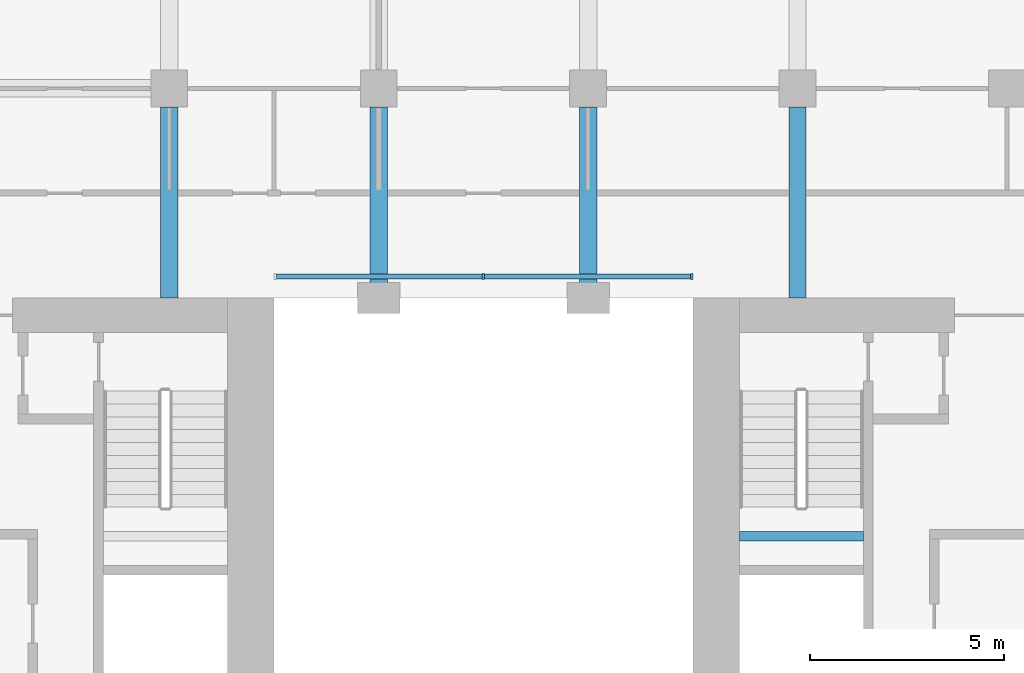
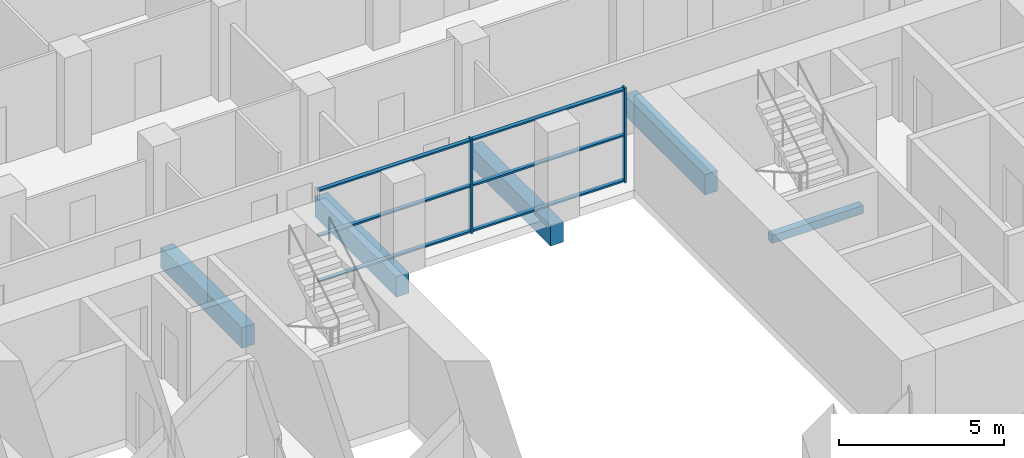
# One storey, part 4 of 12: 8 members, 5 beams, 1 element without a shape of its own.
"""IFC4 building model written with IfcOpenShell, lengths in metres."""

from ifc_helpers import new_model, si_unit, direction, frame, origin, origin_2d, place, context, subcontext, project, spatial, rectangle, extrude, material, material_profile, profile_set, type_object, element, aggregate, save


model = new_model("IFC4")

# Units and contexts
model_context = context("Model", 3, precision=1e-05, world=origin(), true_north=direction((0.0, 1.0)))
body_context = subcontext(model_context, "Body", "Model", "MODEL_VIEW")
ifc_project = project(units=[si_unit("LENGTHUNIT", "METRE"), si_unit("AREAUNIT", "SQUARE_METRE"), si_unit("VOLUMEUNIT", "CUBIC_METRE"), si_unit("PLANEANGLEUNIT", "RADIAN"), si_unit("MASSUNIT", "GRAM", prefix="KILO")], contexts=[model_context])

# Site, building, storey
site_placement = place(None, origin())
site = spatial("IfcSite", under=ifc_project, at=site_placement, CompositionType="ELEMENT")
building_placement = place(site_placement, origin())
building = spatial("IfcBuilding", under=site, at=building_placement, Name="Tabaq Tower and Sports Hall", CompositionType="ELEMENT")
storey_placement = place(building_placement, frame((0.0, 0.0, 99.199951171875)))
storey = spatial("IfcBuildingStorey", under=building, at=storey_placement, Name="L23", CompositionType="ELEMENT", Elevation=99.199951171875)

# Curtain wall, members
ifc_material_1 = material(Name="Aluminium alloy 6063-T6 framed glazing", Category="aluminium")
curtain_wall_type = type_object("IfcCurtainWallType", Name="CW1 curtain wall", PredefinedType="USERDEFINED", material=ifc_material_1)
curtain_wall_placement = place(storey_placement, origin())
curtain_wall = element("IfcCurtainWall", 1, at=curtain_wall_placement, inside=storey, type_object=curtain_wall_type, Name="Atrium glazing L23 N", ObjectType="ATRIUM ENCLOSURE", PredefinedType="USERDEFINED")
ifc_material_2 = material(Name="Aluminium alloy 6063-T6", Category="aluminium")
ifc_material_profile_1 = material_profile(ifc_material_2, rectangle(XDim=0.159912109375, YDim=0.06005859375, at=origin_2d()), Name="MULLION 160x60")
ifc_profile_set_1 = profile_set([ifc_material_profile_1], Name="Aluminium alloy 6063-T6")
member_type_1 = type_object("IfcMemberType", Name="CW1 mullion 160x60", PredefinedType="MULLION", material=ifc_profile_set_1)
member_1_placement = place(storey_placement, frame((24.300048828125, 32.949951171875, 0.0), z_axis=(0.0, 0.0, 1.0), x_axis=(0.0, 1.0, 0.0)))
member_1 = element("IfcMember", 2, at=member_1_placement, type_object=member_type_1, Name="CW1 mullion 2", PredefinedType="MULLION", context=body_context, shape_type="SweptSolid", body=[
    extrude(rectangle(XDim=0.159912109375, YDim=0.06005859375, at=origin_2d()), origin(), (0.0, 0.0, 1.0), 3.5),
])
member_2_placement = place(storey_placement, frame((29.669921875, 32.949951171875, 0.0), z_axis=(0.0, 0.0, 1.0), x_axis=(0.0, 1.0, 0.0)))
member_2 = element("IfcMember", 3, at=member_2_placement, type_object=member_type_1, Name="CW1 mullion 3", PredefinedType="MULLION", context=body_context, shape_type="SweptSolid", body=[
    extrude(rectangle(XDim=0.159912109375, YDim=0.06005859375, at=origin_2d()), origin(), (0.0, 0.0, 1.0), 3.5),
])
ifc_material_3 = material(Name="Aluminium alloy 6063-T6", Category="aluminium")
ifc_material_profile_2 = material_profile(ifc_material_3, rectangle(XDim=0.139892578125, YDim=0.06005859375, at=origin_2d()), Name="TRANSOM 140x60")
ifc_profile_set_2 = profile_set([ifc_material_profile_2], Name="Aluminium alloy 6063-T6")
member_type_2 = type_object("IfcMemberType", Name="CW1 transom 140x60", PredefinedType="USERDEFINED", material=ifc_profile_set_2)
member_3_placement = place(storey_placement, frame((18.9599609375, 32.949951171875, 0.070068359375), z_axis=(1.0, 0.0, 0.0), x_axis=(0.0, 1.0, 0.0)))
member_3 = element("IfcMember", 4, at=member_3_placement, type_object=member_type_2, Name="CW1 transom 1.1", ObjectType="TRANSOM", PredefinedType="USERDEFINED", context=body_context, shape_type="SweptSolid", body=[
    extrude(rectangle(XDim=0.139892578125, YDim=0.06005859375, at=origin_2d()), origin(), (0.0, 0.0, 1.0), 5.31005859375),
])
member_4_placement = place(storey_placement, frame((18.9599609375, 32.949951171875, 1.75), z_axis=(1.0, 0.0, 0.0), x_axis=(0.0, 1.0, 0.0)))
member_4 = element("IfcMember", 5, at=member_4_placement, type_object=member_type_2, Name="CW1 transom 1.2", ObjectType="TRANSOM", PredefinedType="USERDEFINED", context=body_context, shape_type="SweptSolid", body=[
    extrude(rectangle(XDim=0.139892578125, YDim=0.06005859375, at=origin_2d()), origin(), (0.0, 0.0, 1.0), 5.31005859375),
])
member_5_placement = place(storey_placement, frame((18.9599609375, 32.949951171875, 3.429931640625), z_axis=(1.0, 0.0, 0.0), x_axis=(0.0, 1.0, 0.0)))
member_5 = element("IfcMember", 6, at=member_5_placement, type_object=member_type_2, Name="CW1 transom 1.3", ObjectType="TRANSOM", PredefinedType="USERDEFINED", context=body_context, shape_type="SweptSolid", body=[
    extrude(rectangle(XDim=0.139892578125, YDim=0.06005859375, at=origin_2d()), origin(), (0.0, 0.0, 1.0), 5.31005859375),
])
member_6_placement = place(storey_placement, frame((24.330078125, 32.949951171875, 0.070068359375), z_axis=(1.0, 0.0, 0.0), x_axis=(0.0, 1.0, 0.0)))
member_6 = element("IfcMember", 7, at=member_6_placement, type_object=member_type_2, Name="CW1 transom 2.1", ObjectType="TRANSOM", PredefinedType="USERDEFINED", context=body_context, shape_type="SweptSolid", body=[
    extrude(rectangle(XDim=0.139892578125, YDim=0.06005859375, at=origin_2d()), origin(), (0.0, 0.0, 1.0), 5.309814453125),
])
member_7_placement = place(storey_placement, frame((24.330078125, 32.949951171875, 1.75), z_axis=(1.0, 0.0, 0.0), x_axis=(0.0, 1.0, 0.0)))
member_7 = element("IfcMember", 8, at=member_7_placement, type_object=member_type_2, Name="CW1 transom 2.2", ObjectType="TRANSOM", PredefinedType="USERDEFINED", context=body_context, shape_type="SweptSolid", body=[
    extrude(rectangle(XDim=0.139892578125, YDim=0.06005859375, at=origin_2d()), origin(), (0.0, 0.0, 1.0), 5.309814453125),
])
member_8_placement = place(storey_placement, frame((24.330078125, 32.949951171875, 3.429931640625), z_axis=(1.0, 0.0, 0.0), x_axis=(0.0, 1.0, 0.0)))
member_8 = element("IfcMember", 9, at=member_8_placement, type_object=member_type_2, Name="CW1 transom 2.3", ObjectType="TRANSOM", PredefinedType="USERDEFINED", context=body_context, shape_type="SweptSolid", body=[
    extrude(rectangle(XDim=0.139892578125, YDim=0.06005859375, at=origin_2d()), origin(), (0.0, 0.0, 1.0), 5.309814453125),
])
aggregate(curtain_wall, [member_1, member_2, member_3, member_4, member_5, member_6, member_7, member_8])

# Beams
ifc_material_4 = material(Name="Concrete C40/50", Category="concrete")
ifc_material_profile_3 = material_profile(ifc_material_4, rectangle(XDim=0.449951171875, YDim=0.75, at=origin_2d()), Name="CB 450x750")
ifc_profile_set_3 = profile_set([ifc_material_profile_3], Name="Concrete C40/50")
beam_type_1 = type_object("IfcBeamType", Name="PT CANTILEVER BEAM CB 450x750 C40/50", PredefinedType="BEAM", material=ifc_profile_set_3)
for number, where, z_axis, x_axis, name in (
    (10, (16.199951171875, 37.324951171875, -0.675048828125), (0.0, -1.0, 0.0), (1.0, 0.0, 0.0), "Cantilever Beam L23 N3 span 3"),
    (11, (21.60009765625, 37.324951171875, -0.675048828125), (0.0, -1.0, 0.0), (1.0, 0.0, 0.0), "Cantilever Beam L23 N4 span 3"),
    (12, (27.0, 37.324951171875, -0.675048828125), (0.0, -1.0, 0.0), (1.0, 0.0, 0.0), "Cantilever Beam L23 N5 span 3"),
    (13, (32.39990234375, 37.324951171875, -0.675048828125), (0.0, -1.0, 0.0), (1.0, 0.0, 0.0), "Cantilever Beam L23 N6 span 3"),
):
    element("IfcBeam", number, at=place(storey_placement, frame(where, z_axis=z_axis, x_axis=x_axis)), inside=storey, type_object=beam_type_1, Name=name, PredefinedType="BEAM", context=body_context, shape_type="SweptSolid", body=[
        extrude(rectangle(XDim=0.449951171875, YDim=0.75, at=origin_2d()), origin(), (0.0, 0.0, 1.0), 4.925048828125),
    ])
ifc_material_5 = material(Name="Concrete C40/50", Category="concrete")
ifc_material_profile_4 = material_profile(ifc_material_5, rectangle(XDim=0.25, YDim=0.300048828125, at=origin_2d()), Name="RC 250x300")
ifc_profile_set_4 = profile_set([ifc_material_profile_4], Name="Concrete C40/50")
beam_type_2 = type_object("IfcBeamType", Name="Stair landing beam 250x300", PredefinedType="BEAM", material=ifc_profile_set_4)
beam_placement = place(storey_placement, frame((30.89990234375, 26.25, 1.550048828125), z_axis=(1.0, 0.0, 0.0), x_axis=(0.0, 1.0, 0.0)))
element("IfcBeam", 14, at=beam_placement, inside=storey, type_object=beam_type_2, Name="L23 ST4 landing beam 1", PredefinedType="BEAM", context=body_context, shape_type="SweptSolid", body=[
    extrude(rectangle(XDim=0.25, YDim=0.300048828125, at=origin_2d()), origin(), (0.0, 0.0, 1.0), 3.2001953125),
])

save(model, "model.ifc")
